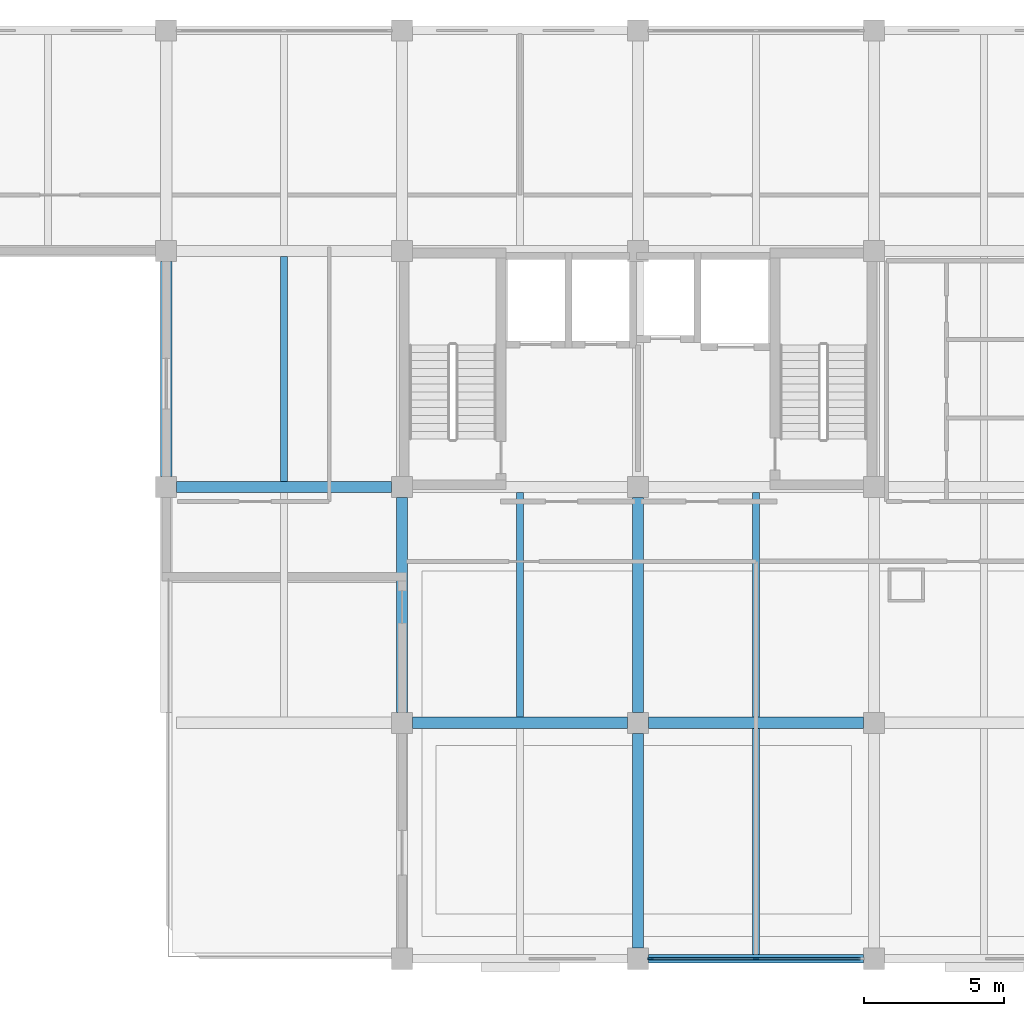
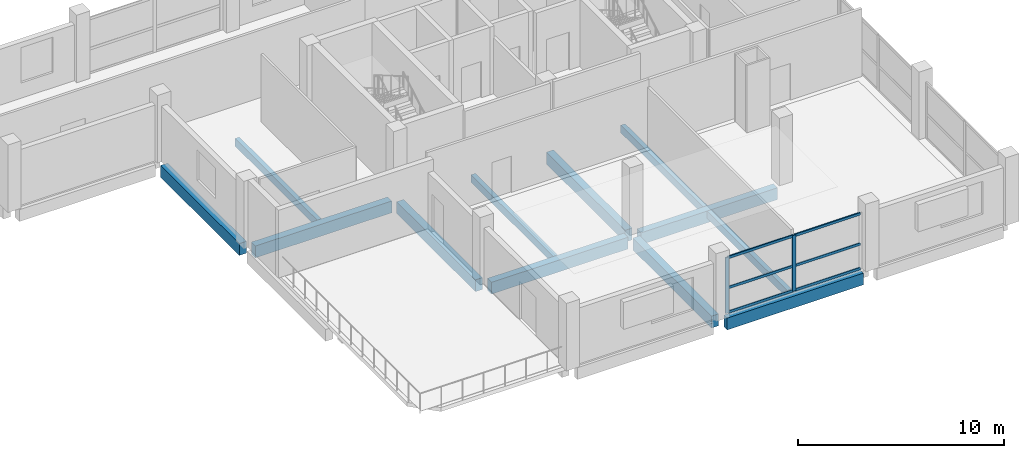
# One storey, part 2 of 10: 12 beams, 8 members, 1 element without a shape of its own.
"""IFC4 building model written with IfcOpenShell, lengths in metres."""

from ifc_helpers import new_model, si_unit, direction, frame, origin, origin_2d, place, context, subcontext, project, spatial, rectangle, extrude, material, material_profile, profile_set, type_object, element, aggregate, save


model = new_model("IFC4")

# Units and contexts
model_context = context("Model", 3, precision=1e-05, world=origin(), true_north=direction((0.0, 1.0)))
body_context = subcontext(model_context, "Body", "Model", "MODEL_VIEW")
ifc_project = project(units=[si_unit("LENGTHUNIT", "METRE"), si_unit("AREAUNIT", "SQUARE_METRE"), si_unit("VOLUMEUNIT", "CUBIC_METRE"), si_unit("PLANEANGLEUNIT", "RADIAN"), si_unit("MASSUNIT", "GRAM", prefix="KILO")], contexts=[model_context])

# Site, building, storey
site_placement = place(None, origin())
site = spatial("IfcSite", under=ifc_project, at=site_placement, CompositionType="ELEMENT")
building_placement = place(site_placement, origin())
building = spatial("IfcBuilding", under=site, at=building_placement, Name="Brinegate Botanical Conservatory", CompositionType="ELEMENT")
storey_placement = place(building_placement, frame((0.0, 0.0, 44.39990234375)))
storey = spatial("IfcBuildingStorey", under=building, at=storey_placement, Name="L11", CompositionType="ELEMENT", Elevation=44.39990234375)

# Beams
ifc_material_1 = material(Name="Concrete C40/50", Category="concrete")
ifc_material_profile_1 = material_profile(ifc_material_1, rectangle(XDim=0.39990234375, YDim=0.699951171875, at=origin_2d()), Name="RC BM 400x700")
ifc_profile_set_1 = profile_set([ifc_material_profile_1], Name="Concrete C40/50")
beam_type_1 = type_object("IfcBeamType", Name="Beam_BM-T2", PredefinedType="BEAM", material=ifc_profile_set_1)
beam_1_placement = place(storey_placement, frame((139.175048828125, 86.800048828125, -0.5498046875), z_axis=(1.0, 0.0, 0.0), x_axis=(0.0, 1.0, 0.0)))
element("IfcBeam", 1, at=beam_1_placement, inside=storey, type_object=beam_type_1, Name="Beam BM-T2 L11 L:18-19", PredefinedType="BEAM", context=body_context, shape_type="SweptSolid", body=[
    extrude(rectangle(XDim=0.39990234375, YDim=0.699951171875, at=origin_2d()), origin(), (0.0, 0.0, 1.0), 7.64990234375),
])
for number, where, z_axis, x_axis, name in (
    (2, (147.574951171875, 86.800048828125, -0.5498046875), (1.0, 0.0, 0.0), (0.0, 1.0, 0.0), "Beam BM-T2 L11 L:19-20"),
    (3, (130.77490234375, 95.199951171875, -0.5498046875), (1.0, 0.0, 0.0), (0.0, 1.0, 0.0), "Beam BM-T2 L11 M:17-18"),
    (4, (130.39990234375, 95.574951171875, -0.5498046875), (0.0, 1.0, 0.0), (-1.0, 0.0, 0.0), "Beam BM-T2 L11 17:M-N"),
):
    element("IfcBeam", number, at=place(storey_placement, frame(where, z_axis=z_axis, x_axis=x_axis)), inside=storey, type_object=beam_type_1, Name=name, PredefinedType="BEAM", context=body_context, shape_type="SweptSolid", body=[
        extrude(rectangle(XDim=0.39990234375, YDim=0.699951171875, at=origin_2d()), origin(), (0.0, 0.0, 1.0), 7.650146484375),
    ])
beam_2_placement = place(storey_placement, frame((138.800048828125, 87.175048828125, -0.5498046875), z_axis=(0.0, 1.0, 0.0), x_axis=(-1.0, 0.0, 0.0)))
element("IfcBeam", 5, at=beam_2_placement, inside=storey, type_object=beam_type_1, Name="Beam BM-T2 L11 18:L-M", PredefinedType="BEAM", context=body_context, shape_type="SweptSolid", body=[
    extrude(rectangle(XDim=0.39990234375, YDim=0.699951171875, at=origin_2d()), origin(), (0.0, 0.0, 1.0), 7.64990234375),
])
beam_3_placement = place(storey_placement, frame((147.199951171875, 78.77490234375, -0.5498046875), z_axis=(0.0, 1.0, 0.0), x_axis=(-1.0, 0.0, 0.0)))
element("IfcBeam", 6, at=beam_3_placement, inside=storey, type_object=beam_type_1, Name="Beam BM-T2 L11 19:K-L", PredefinedType="BEAM", context=body_context, shape_type="SweptSolid", body=[
    extrude(rectangle(XDim=0.39990234375, YDim=0.699951171875, at=origin_2d()), origin(), (0.0, 0.0, 1.0), 7.650146484375),
])
beam_4_placement = place(storey_placement, frame((147.199951171875, 87.175048828125, -0.5498046875), z_axis=(0.0, 1.0, 0.0), x_axis=(-1.0, 0.0, 0.0)))
element("IfcBeam", 7, at=beam_4_placement, inside=storey, type_object=beam_type_1, Name="Beam BM-T2 L11 19:L-M", PredefinedType="BEAM", context=body_context, shape_type="SweptSolid", body=[
    extrude(rectangle(XDim=0.39990234375, YDim=0.699951171875, at=origin_2d()), origin(), (0.0, 0.0, 1.0), 7.64990234375),
])
ifc_material_profile_2 = material_profile(ifc_material_1, rectangle(XDim=0.25, YDim=0.449951171875, at=origin_2d()), Name="RC JST 250x450")
ifc_profile_set_2 = profile_set([ifc_material_profile_2], Name="Concrete C40/50")
beam_type_2 = type_object("IfcBeamType", Name="Beam_JS-C3", PredefinedType="JOIST", material=ifc_profile_set_2)
for number, where, z_axis, x_axis, name in (
    (8, (134.60009765625, 95.39990234375, -0.4248046875), (0.0, 1.0, 0.0), (-1.0, 0.0, 0.0), "Floor joist JS-C3 L11 bay 17.12"),
    (9, (143.0, 87.0, -0.4248046875), (0.0, 1.0, 0.0), (-1.0, 0.0, 0.0), "Floor joist JS-C3 L11 bay 18.11"),
):
    element("IfcBeam", number, at=place(storey_placement, frame(where, z_axis=z_axis, x_axis=x_axis)), inside=storey, type_object=beam_type_2, Name=name, PredefinedType="JOIST", context=body_context, shape_type="SweptSolid", body=[
        extrude(rectangle(XDim=0.25, YDim=0.449951171875, at=origin_2d()), origin(), (0.0, 0.0, 1.0), 8.0),
    ])
beam_5_placement = place(storey_placement, frame((151.39990234375, 78.550048828125, -0.4248046875), z_axis=(0.0, 1.0, 0.0), x_axis=(-1.0, 0.0, 0.0)))
element("IfcBeam", 10, at=beam_5_placement, inside=storey, type_object=beam_type_2, Name="Floor joist JS-C3 L11 bay 19.10", PredefinedType="JOIST", context=body_context, shape_type="SweptSolid", body=[
    extrude(rectangle(XDim=0.25, YDim=0.449951171875, at=origin_2d()), origin(), (0.0, 0.0, 1.0), 8.050048828125),
])
beam_6_placement = place(storey_placement, frame((151.39990234375, 87.0, -0.4248046875), z_axis=(0.0, 1.0, 0.0), x_axis=(-1.0, 0.0, 0.0)))
element("IfcBeam", 11, at=beam_6_placement, inside=storey, type_object=beam_type_2, Name="Floor joist JS-C3 L11 bay 19.11", PredefinedType="JOIST", context=body_context, shape_type="SweptSolid", body=[
    extrude(rectangle(XDim=0.25, YDim=0.449951171875, at=origin_2d()), origin(), (0.0, 0.0, 1.0), 8.0),
])
ifc_material_profile_3 = material_profile(ifc_material_1, rectangle(XDim=0.300048828125, YDim=0.699951171875, at=origin_2d()), Name="RC SPN 300x700")
ifc_profile_set_3 = profile_set([ifc_material_profile_3], Name="Concrete C40/50")
beam_type_3 = type_object("IfcBeamType", Name="Beam_SP-02", PredefinedType="SPANDREL", material=ifc_profile_set_3)
beam_7_placement = place(storey_placement, frame((147.574951171875, 78.39990234375, -0.5498046875), z_axis=(1.0, 0.0, 0.0), x_axis=(0.0, 1.0, 0.0)))
element("IfcBeam", 12, at=beam_7_placement, inside=storey, type_object=beam_type_3, Name="Beam SP-02 L11 K:19-20", PredefinedType="SPANDREL", context=body_context, shape_type="SweptSolid", body=[
    extrude(rectangle(XDim=0.300048828125, YDim=0.699951171875, at=origin_2d()), origin(), (0.0, 0.0, 1.0), 7.650146484375),
])

# Curtain wall, members
ifc_material_2 = material(Name="Thermally broken anodised aluminium AW-6063-T6", Category="aluminium")
curtain_wall_type = type_object("IfcCurtainWallType", Name="CW_CW-TW1", PredefinedType="USERDEFINED", material=ifc_material_2)
curtain_wall_placement = place(storey_placement, origin())
curtain_wall = element("IfcCurtainWall", 13, at=curtain_wall_placement, inside=storey, type_object=curtain_wall_type, Name="Tower south curtain wall L11.2", ObjectType="FACTORY CURTAIN WALL", PredefinedType="USERDEFINED")
ifc_material_profile_4 = material_profile(ifc_material_2, rectangle(XDim=0.070068359375, YDim=0.199951171875, at=origin_2d()), Name="ALUM MULLION 70x200")
ifc_profile_set_4 = profile_set([ifc_material_profile_4], Name="Thermally broken anodised aluminium AW-6063-T6")
member_type_1 = type_object("IfcMemberType", Name="Member_ML-03", PredefinedType="MULLION", material=ifc_profile_set_4)
member_1_placement = place(storey_placement, frame((151.39990234375, 78.39990234375, 0.0), z_axis=(0.0, 0.0, 1.0), x_axis=(0.0, -1.0, 0.0)))
member_1 = element("IfcMember", 14, at=member_1_placement, type_object=member_type_1, Name="CW-TW1 mullion 2", PredefinedType="MULLION", context=body_context, shape_type="SweptSolid", body=[
    extrude(rectangle(XDim=0.070068359375, YDim=0.199951171875, at=origin_2d()), origin(), (0.0, 0.0, 1.0), 3.31005859375),
])
member_2_placement = place(storey_placement, frame((147.64990234375, 78.39990234375, 0.0), z_axis=(0.0, 0.0, 1.0), x_axis=(0.0, -1.0, 0.0)))
member_2 = element("IfcMember", 15, at=member_2_placement, type_object=member_type_1, Name="CW-TW1 mullion 3", PredefinedType="MULLION", context=body_context, shape_type="SweptSolid", body=[
    extrude(rectangle(XDim=0.070068359375, YDim=0.199951171875, at=origin_2d()), origin(), (0.0, 0.0, 1.0), 3.31005859375),
])
ifc_material_profile_5 = material_profile(ifc_material_2, rectangle(XDim=0.070068359375, YDim=0.14990234375, at=origin_2d()), Name="ALUM TRANSOM 70x150")
ifc_profile_set_5 = profile_set([ifc_material_profile_5], Name="Thermally broken anodised aluminium AW-6063-T6")
member_type_2 = type_object("IfcMemberType", Name="Member_TR-03", PredefinedType="USERDEFINED", material=ifc_profile_set_5)
member_3_placement = place(storey_placement, frame((155.114990234375, 78.39990234375, 0.03515625), z_axis=(-1.0, 0.0, 0.0), x_axis=(0.0, -1.0, 0.0)))
member_3 = element("IfcMember", 16, at=member_3_placement, type_object=member_type_2, Name="CW-TW1 transom 1.1", ObjectType="TRANSOM", PredefinedType="USERDEFINED", context=body_context, shape_type="SweptSolid", body=[
    extrude(rectangle(XDim=0.070068359375, YDim=0.14990234375, at=origin_2d()), origin(), (0.0, 0.0, 1.0), 3.679931640625),
])
member_4_placement = place(storey_placement, frame((155.114990234375, 78.39990234375, 1.489013671875), z_axis=(-1.0, 0.0, 0.0), x_axis=(0.0, -1.0, 0.0)))
member_4 = element("IfcMember", 17, at=member_4_placement, type_object=member_type_2, Name="CW-TW1 transom 1.2", ObjectType="TRANSOM", PredefinedType="USERDEFINED", context=body_context, shape_type="SweptSolid", body=[
    extrude(rectangle(XDim=0.070068359375, YDim=0.14990234375, at=origin_2d()), origin(), (0.0, 0.0, 1.0), 3.679931640625),
])
member_5_placement = place(storey_placement, frame((155.114990234375, 78.39990234375, 3.275146484375), z_axis=(-1.0, 0.0, 0.0), x_axis=(0.0, -1.0, 0.0)))
member_5 = element("IfcMember", 18, at=member_5_placement, type_object=member_type_2, Name="CW-TW1 transom 1.3", ObjectType="TRANSOM", PredefinedType="USERDEFINED", context=body_context, shape_type="SweptSolid", body=[
    extrude(rectangle(XDim=0.070068359375, YDim=0.14990234375, at=origin_2d()), origin(), (0.0, 0.0, 1.0), 3.679931640625),
])
member_6_placement = place(storey_placement, frame((151.364990234375, 78.39990234375, 0.03515625), z_axis=(-1.0, 0.0, 0.0), x_axis=(0.0, -1.0, 0.0)))
member_6 = element("IfcMember", 19, at=member_6_placement, type_object=member_type_2, Name="CW-TW1 transom 2.1", ObjectType="TRANSOM", PredefinedType="USERDEFINED", context=body_context, shape_type="SweptSolid", body=[
    extrude(rectangle(XDim=0.070068359375, YDim=0.14990234375, at=origin_2d()), origin(), (0.0, 0.0, 1.0), 3.679931640625),
])
member_7_placement = place(storey_placement, frame((151.364990234375, 78.39990234375, 1.489013671875), z_axis=(-1.0, 0.0, 0.0), x_axis=(0.0, -1.0, 0.0)))
member_7 = element("IfcMember", 20, at=member_7_placement, type_object=member_type_2, Name="CW-TW1 transom 2.2", ObjectType="TRANSOM", PredefinedType="USERDEFINED", context=body_context, shape_type="SweptSolid", body=[
    extrude(rectangle(XDim=0.070068359375, YDim=0.14990234375, at=origin_2d()), origin(), (0.0, 0.0, 1.0), 3.679931640625),
])
member_8_placement = place(storey_placement, frame((151.364990234375, 78.39990234375, 3.275146484375), z_axis=(-1.0, 0.0, 0.0), x_axis=(0.0, -1.0, 0.0)))
member_8 = element("IfcMember", 21, at=member_8_placement, type_object=member_type_2, Name="CW-TW1 transom 2.3", ObjectType="TRANSOM", PredefinedType="USERDEFINED", context=body_context, shape_type="SweptSolid", body=[
    extrude(rectangle(XDim=0.070068359375, YDim=0.14990234375, at=origin_2d()), origin(), (0.0, 0.0, 1.0), 3.679931640625),
])
aggregate(curtain_wall, [member_1, member_2, member_3, member_4, member_5, member_6, member_7, member_8])

save(model, "model.ifc")
